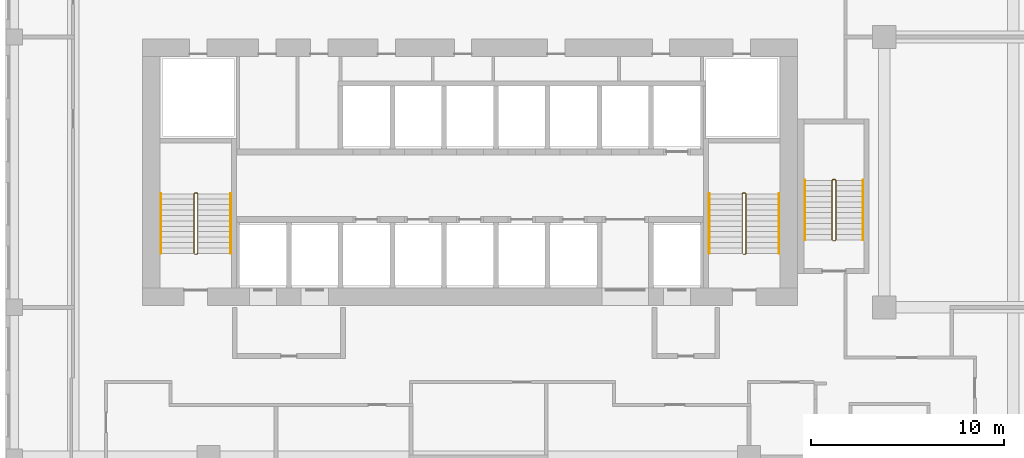
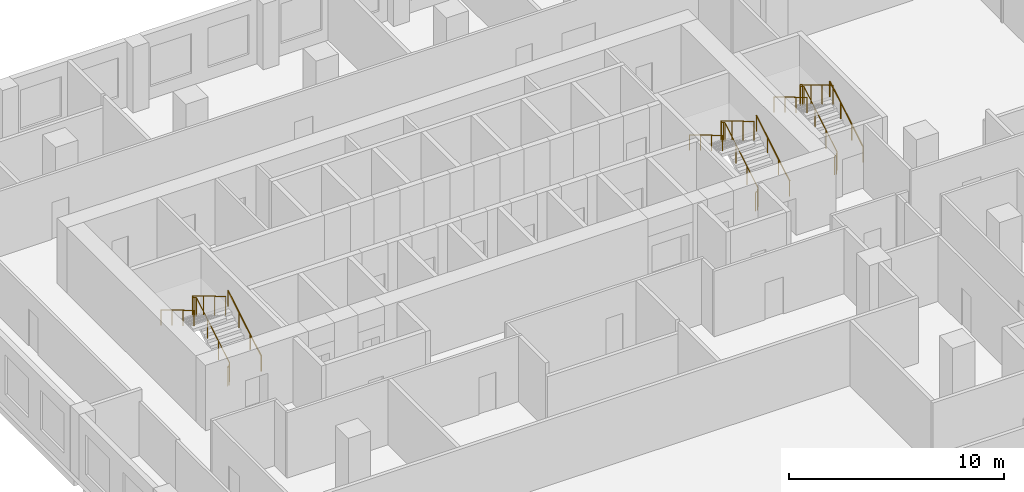
# One storey, part 26 of 27: 9 railings.
"""IFC4 building model written with IfcOpenShell, lengths in metres."""

import ifcopenshell
import ifcopenshell.guid

model = None  # the IFC model being written
_history = None  # IfcOwnerHistory: only IFC2X3 demands one
_inside = {}  # id of a spatial element -> (the spatial element, [elements in it])
_under = {}  # id of a project, library or spatial element -> (it, [spatial elements below it])
_declared = {}  # id of a project -> (the project, [libraries it declares])
_typed = {}  # id of a type object -> (the type object, [elements of that type])
_made_of = {}  # id of a material, layer set ... -> (it, [elements and type objects made of it])


def new_model(schema):
    """Start an empty IFC model of exactly this schema.

    Asked for "IFC4X3", IfcOpenShell would pick the latest addendum, in which some entities
    have other attributes; the version numbers below select the first issue.
    IFC2X3 requires an IfcOwnerHistory on every rooted entity: one is made here for all.
    """
    global model, _history
    if schema == "IFC4X3":
        model = ifcopenshell.file(schema_version=(4, 3, 0, 0))
    else:
        model = ifcopenshell.file(schema=schema)
    _inside.clear()
    _under.clear()
    _declared.clear()
    _typed.clear()
    _made_of.clear()
    _history = None
    if model.schema == "IFC2X3":
        org = make("IfcOrganization", Name="unknown")
        user = make(
            "IfcPersonAndOrganization",
            ThePerson=make("IfcPerson", FamilyName="unknown"),
            TheOrganization=org,
        )
        app = make(
            "IfcApplication",
            ApplicationDeveloper=org,
            Version="unknown",
            ApplicationFullName="unknown",
            ApplicationIdentifier="unknown",
        )
        _history = make(
            "IfcOwnerHistory",
            OwningUser=user,
            OwningApplication=app,
            ChangeAction="ADDED",
            CreationDate=0,
        )
    return model


def make(cls, **values):
    """One entity of the class cls with the attributes given. An attribute that is None is left unset."""
    return model.create_entity(
        cls, **{name: value for name, value in values.items() if value is not None}
    )


def rooted(cls, **values):
    """An entity with a GlobalId (a new one), such as an element, a storey or a relation."""
    return make(cls, GlobalId=ifcopenshell.guid.new(), OwnerHistory=_history, **values)


def si_unit(unit_type, name, prefix=None):
    """IfcSIUnit, for example si_unit("LENGTHUNIT", "METRE", prefix="MILLI")."""
    return make("IfcSIUnit", UnitType=unit_type, Prefix=prefix, Name=name)


def assignment(units):
    """IfcUnitAssignment: the units of a project."""
    return None if units is None else make("IfcUnitAssignment", Units=units)


def point(xyz):
    """IfcCartesianPoint."""
    return None if xyz is None else make("IfcCartesianPoint", Coordinates=xyz)


def direction(xyz):
    """IfcDirection."""
    return None if xyz is None else make("IfcDirection", DirectionRatios=xyz)


def frame(location, z_axis=None, x_axis=None):
    """IfcAxis2Placement3D, a coordinate frame: its origin and axes. An axis left out is left unset."""
    return make(
        "IfcAxis2Placement3D",
        Location=point(location),
        Axis=direction(z_axis),
        RefDirection=direction(x_axis),
    )


def frame_2d(location, x_axis=None):
    """IfcAxis2Placement2D, a coordinate frame in the plane: its origin and x axis."""
    return make(
        "IfcAxis2Placement2D", Location=point(location), RefDirection=direction(x_axis)
    )


def origin():
    """The frame at (0, 0, 0) with its axes left unset."""
    return frame((0.0, 0.0, 0.0))


def origin_2d():
    """The frame at (0, 0) in the plane with its x axis left unset."""
    return frame_2d((0.0, 0.0))


def place(relative_to, where):
    """IfcLocalPlacement: puts the frame where relative to a parent placement (None: the world)."""
    return make(
        "IfcLocalPlacement", PlacementRelTo=relative_to, RelativePlacement=where
    )


def context(
    kind, dimensions, precision=None, world=None, true_north=None, identifier=None
):
    """IfcGeometricRepresentationContext, for example the 3D "Model" context."""
    return make(
        "IfcGeometricRepresentationContext",
        ContextIdentifier=identifier,
        ContextType=kind,
        CoordinateSpaceDimension=dimensions,
        Precision=precision,
        WorldCoordinateSystem=world,
        TrueNorth=true_north,
    )


def subcontext(parent, identifier, kind, view, scale=None):
    """IfcGeometricRepresentationSubContext, for example "Body" below "Model"."""
    return make(
        "IfcGeometricRepresentationSubContext",
        ContextIdentifier=identifier,
        ContextType=kind,
        ParentContext=parent,
        TargetScale=scale,
        TargetView=view,
    )


def project(units=None, contexts=None):
    """IfcProject with its units and contexts."""
    return rooted(
        "IfcProject",
        Name="project",
        RepresentationContexts=contexts,
        UnitsInContext=assignment(units),
    )


def spatial(cls, under=None, at=None, **own):
    """A site, building, storey or space (cls), placed at a placement, below another one or the project."""
    s = rooted(cls, ObjectPlacement=at, **own)
    if under is not None:
        _under.setdefault(under.id(), (under, []))[1].append(s)
    return s


def profile(cls, at=None, kind="AREA", **sizes):
    """A parametric profile (cls). Its sizes go by their IFC names, for example OverallWidth=200.0."""
    return make(cls, ProfileType=kind, Position=at, **sizes)


def circle(**sizes):
    """IfcCircleProfileDef."""
    return profile("IfcCircleProfileDef", **sizes)


def extrude(swept, where, along, depth):
    """IfcExtrudedAreaSolid: the profile swept, set in the frame where, extruded along a direction by depth."""
    return make(
        "IfcExtrudedAreaSolid",
        SweptArea=swept,
        Position=where,
        ExtrudedDirection=direction(along),
        Depth=depth,
    )


def shape(context_of_items, identifier, shape_type, items):
    """IfcShapeRepresentation: the items that make up one representation, for example the "Body"."""
    return make(
        "IfcShapeRepresentation",
        ContextOfItems=context_of_items,
        RepresentationIdentifier=identifier,
        RepresentationType=shape_type,
        Items=items,
    )


def material(Name=None, Category=None):
    """IfcMaterial."""
    return make("IfcMaterial", Name=Name, Category=Category)


def made_of(thing, what):
    """Note that an element or type object is made of a material, layer set ...; save() writes the relation."""
    if what is not None:
        _made_of.setdefault(what.id(), (what, []))[1].append(thing)
    return thing


def type_object(cls, material=None, **own):
    """A type object (cls), such as IfcWallType, which elements share."""
    return made_of(rooted(cls, **own), material)


def element(
    cls,
    number,
    at=None,
    inside=None,
    cuts=None,
    type_object=None,
    material=None,
    context=None,
    identifier="Body",
    shape_type=None,
    held_by="IfcProductDefinitionShape",
    body=None,
    shapes=None,
    **own,
):
    """One element of the class cls, such as IfcWall. Its Tag is "e" and its number.

    at: its placement. inside: the storey or other place that contains it. cuts: it is an
    opening in that element (IfcRelVoidsElement). A single representation is given by context,
    identifier, shape_type and body (its items); several are given by shapes. held_by: the class
    of the entity that holds the representations. save() writes the other relations.
    """
    e = rooted(cls, Tag="e%d" % number, ObjectPlacement=at, **own)
    if body is not None:
        shapes = [shape(context, identifier, shape_type, body)]
    if shapes is not None:
        e.Representation = make(held_by, Representations=shapes)
    if inside is not None:
        _inside.setdefault(inside.id(), (inside, []))[1].append(e)
    if cuts is not None:
        rooted(
            "IfcRelVoidsElement", RelatingBuildingElement=cuts, RelatedOpeningElement=e
        )
    if type_object is not None:
        _typed.setdefault(type_object.id(), (type_object, []))[1].append(e)
    return made_of(e, material)


def aggregate(whole, parts):
    """IfcRelAggregates: a whole, such as a stair, and the parts it consists of."""
    return rooted("IfcRelAggregates", RelatingObject=whole, RelatedObjects=parts)


def save(model, path):
    """Write the relations noted so far, then the file.

    IfcRelAggregates (storeys below a building ...), IfcRelContainedInSpatialStructure (elements
    in a storey), IfcRelDefinesByType, IfcRelAssociatesMaterial and IfcRelDeclares: one each for
    every whole, place, type object, material and project.
    """
    for whole, parts in _under.values():
        aggregate(whole, parts)
    for where, things in _inside.values():
        rooted(
            "IfcRelContainedInSpatialStructure",
            RelatedElements=things,
            RelatingStructure=where,
        )
    for kind, things in _typed.values():
        rooted("IfcRelDefinesByType", RelatedObjects=things, RelatingType=kind)
    for what, things in _made_of.values():
        rooted("IfcRelAssociatesMaterial", RelatedObjects=things, RelatingMaterial=what)
    for by, libraries in _declared.values():
        rooted("IfcRelDeclares", RelatingContext=by, RelatedDefinitions=libraries)
    model.write(path)


model = new_model("IFC4")

# Units and contexts
model_context = context("Model", 3, precision=1e-05, world=origin(), true_north=direction((0.0, 1.0)))
body_context = subcontext(model_context, "Body", "Model", "MODEL_VIEW")
ifc_project = project(units=[si_unit("LENGTHUNIT", "METRE"), si_unit("AREAUNIT", "SQUARE_METRE"), si_unit("VOLUMEUNIT", "CUBIC_METRE"), si_unit("PLANEANGLEUNIT", "RADIAN"), si_unit("MASSUNIT", "GRAM", prefix="KILO")], contexts=[model_context])

# Site, building, storey
site_placement = place(None, origin())
site = spatial("IfcSite", under=ifc_project, at=site_placement, CompositionType="ELEMENT")
building_placement = place(site_placement, origin())
building = spatial("IfcBuilding", under=site, at=building_placement, Name="Kilnfold Tower and Market Hall", CompositionType="ELEMENT")
storey_placement = place(building_placement, frame((0.0, 0.0, 112.60009765625)))
storey = spatial("IfcBuildingStorey", under=building, at=storey_placement, Name="L26", CompositionType="ELEMENT", Elevation=112.60009765625)

# Railings
ifc_material_1 = material(Name="Stainless steel 316", Category="steel")
railing_type_1 = type_object("IfcRailingType", Name="CORE STAIR GUARD 1100", PredefinedType="GUARDRAIL", material=ifc_material_1)
railing_1_placement = place(storey_placement, frame((-13.199951171875, 10.75, 0.0)))
element("IfcRailing", 1, at=railing_1_placement, inside=storey, type_object=railing_type_1, Name="L26 ST1 stair guard 1", PredefinedType="GUARDRAIL", context=body_context, shape_type="SweptSolid", body=[
    extrude(circle(Radius=0.02392578125, at=origin_2d()), frame((0.0, 0.0, 1.076171875), z_axis=(1.0, 0.0, 0.0), x_axis=(0.0, 1.0, 0.0)), (0.0, 0.0, 1.0), 0.099853515625),
    extrude(circle(Radius=0.02392578125, at=origin_2d()), frame((0.099853515625, 0.0, 1.076171875), z_axis=(0.27662974545, 0.27662974545, 0.920299933644), x_axis=(-0.707106781187, 0.707106781187, 0.0)), (0.0, 0.0, 1.0), 0.180908203125),
    extrude(circle(Radius=0.02392578125, at=origin_2d()), frame((0.14990234375, 0.050048828125, 1.24267578125), z_axis=(0.0, 0.859260807169, 0.511537745687), x_axis=(-1.0, 0.0, 0.0)), (0.0, 0.0, 1.0), 3.584228515625),
    extrude(circle(Radius=0.02392578125, at=origin_2d()), frame((0.14990234375, 3.1298828125, 3.076171875), z_axis=(-0.707106781187, 0.707106781187, 0.0), x_axis=(-0.707106781187, -0.707106781187, 0.0)), (0.0, 0.0, 1.0), 0.07080078125),
    extrude(circle(Radius=0.02392578125, at=origin_2d()), frame((0.099853515625, 3.179931640625, 3.076171875), z_axis=(-1.0, 0.0, 0.0), x_axis=(0.0, -1.0, 0.0)), (0.0, 0.0, 1.0), 0.099853515625),
    extrude(circle(Radius=0.02392578125, at=origin_2d()), frame((0.0, 3.179931640625, 3.076171875), z_axis=(-0.27662974545, -0.27662974545, 0.920299933644), x_axis=(0.707106781187, -0.707106781187, 0.0)), (0.0, 0.0, 1.0), 0.180908203125),
    extrude(circle(Radius=0.02392578125, at=origin_2d()), frame((-0.050048828125, 3.1298828125, 3.24267578125), z_axis=(0.0, -0.859260807169, 0.511537745687), x_axis=(1.0, 0.0, 0.0)), (0.0, 0.0, 1.0), 3.584228515625),
    extrude(circle(Radius=0.02099609375, at=origin_2d()), origin(), (0.0, 0.0, 1.0), 1.052001953125),
    extrude(circle(Radius=0.02099609375, at=origin_2d()), frame((0.099853515625, 0.0, 0.0)), (0.0, 0.0, 1.0), 1.052001953125),
    extrude(circle(Radius=0.02099609375, at=origin_2d()), frame((0.14990234375, 0.050048828125, 0.16650390625)), (0.0, 0.0, 1.0), 1.052001953125),
    extrude(circle(Radius=0.02099609375, at=origin_2d()), frame((0.14990234375, 1.07666015625, 0.777587890625)), (0.0, 0.0, 1.0), 1.052001953125),
    extrude(circle(Radius=0.02099609375, at=origin_2d()), frame((0.14990234375, 2.103271484375, 1.388916015625)), (0.0, 0.0, 1.0), 1.052001953125),
    extrude(circle(Radius=0.02099609375, at=origin_2d()), frame((0.14990234375, 3.1298828125, 2.0)), (0.0, 0.0, 1.0), 1.052001953125),
    extrude(circle(Radius=0.02099609375, at=origin_2d()), frame((0.099853515625, 3.179931640625, 2.0)), (0.0, 0.0, 1.0), 1.052001953125),
    extrude(circle(Radius=0.02099609375, at=origin_2d()), frame((0.0, 3.179931640625, 2.0)), (0.0, 0.0, 1.0), 1.052001953125),
    extrude(circle(Radius=0.02099609375, at=origin_2d()), frame((-0.050048828125, 3.1298828125, 2.16650390625)), (0.0, 0.0, 1.0), 1.052001953125),
    extrude(circle(Radius=0.02099609375, at=origin_2d()), frame((-0.050048828125, 2.103271484375, 2.777587890625)), (0.0, 0.0, 1.0), 1.052001953125),
    extrude(circle(Radius=0.02099609375, at=origin_2d()), frame((-0.050048828125, 1.07666015625, 3.388916015625)), (0.0, 0.0, 1.0), 1.052001953125),
    extrude(circle(Radius=0.02099609375, at=origin_2d()), frame((-0.050048828125, 0.050048828125, 4.0)), (0.0, 0.0, 1.0), 1.052001953125),
])
railing_2_placement = place(storey_placement, frame((15.199951171875, 10.75, 0.0)))
element("IfcRailing", 2, at=railing_2_placement, inside=storey, type_object=railing_type_1, Name="L26 ST2 stair guard 1", PredefinedType="GUARDRAIL", context=body_context, shape_type="SweptSolid", body=[
    extrude(circle(Radius=0.02392578125, at=origin_2d()), frame((0.0, 0.0, 1.076171875), z_axis=(1.0, 0.0, 0.0), x_axis=(0.0, 1.0, 0.0)), (0.0, 0.0, 1.0), 0.10009765625),
    extrude(circle(Radius=0.02392578125, at=origin_2d()), frame((0.10009765625, 0.0, 1.076171875), z_axis=(0.27662974545, 0.27662974545, 0.920299933644), x_axis=(-0.707106781187, 0.707106781187, 0.0)), (0.0, 0.0, 1.0), 0.180908203125),
    extrude(circle(Radius=0.02392578125, at=origin_2d()), frame((0.150146484375, 0.050048828125, 1.24267578125), z_axis=(0.0, 0.859260807169, 0.511537745687), x_axis=(-1.0, 0.0, 0.0)), (0.0, 0.0, 1.0), 3.584228515625),
    extrude(circle(Radius=0.02392578125, at=origin_2d()), frame((0.150146484375, 3.1298828125, 3.076171875), z_axis=(-0.707106781187, 0.707106781187, 0.0), x_axis=(-0.707106781187, -0.707106781187, 0.0)), (0.0, 0.0, 1.0), 0.07080078125),
    extrude(circle(Radius=0.02392578125, at=origin_2d()), frame((0.10009765625, 3.179931640625, 3.076171875), z_axis=(-1.0, 0.0, 0.0), x_axis=(0.0, -1.0, 0.0)), (0.0, 0.0, 1.0), 0.10009765625),
    extrude(circle(Radius=0.02392578125, at=origin_2d()), frame((0.0, 3.179931640625, 3.076171875), z_axis=(-0.27662974545, -0.27662974545, 0.920299933644), x_axis=(0.707106781187, -0.707106781187, 0.0)), (0.0, 0.0, 1.0), 0.180908203125),
    extrude(circle(Radius=0.02392578125, at=origin_2d()), frame((-0.050048828125, 3.1298828125, 3.24267578125), z_axis=(0.0, -0.859260807169, 0.511537745687), x_axis=(1.0, 0.0, 0.0)), (0.0, 0.0, 1.0), 3.584228515625),
    extrude(circle(Radius=0.02099609375, at=origin_2d()), origin(), (0.0, 0.0, 1.0), 1.052001953125),
    extrude(circle(Radius=0.02099609375, at=origin_2d()), frame((0.10009765625, 0.0, 0.0)), (0.0, 0.0, 1.0), 1.052001953125),
    extrude(circle(Radius=0.02099609375, at=origin_2d()), frame((0.150146484375, 0.050048828125, 0.16650390625)), (0.0, 0.0, 1.0), 1.052001953125),
    extrude(circle(Radius=0.02099609375, at=origin_2d()), frame((0.150146484375, 1.07666015625, 0.777587890625)), (0.0, 0.0, 1.0), 1.052001953125),
    extrude(circle(Radius=0.02099609375, at=origin_2d()), frame((0.150146484375, 2.103271484375, 1.388916015625)), (0.0, 0.0, 1.0), 1.052001953125),
    extrude(circle(Radius=0.02099609375, at=origin_2d()), frame((0.150146484375, 3.1298828125, 2.0)), (0.0, 0.0, 1.0), 1.052001953125),
    extrude(circle(Radius=0.02099609375, at=origin_2d()), frame((0.10009765625, 3.179931640625, 2.0)), (0.0, 0.0, 1.0), 1.052001953125),
    extrude(circle(Radius=0.02099609375, at=origin_2d()), frame((0.0, 3.179931640625, 2.0)), (0.0, 0.0, 1.0), 1.052001953125),
    extrude(circle(Radius=0.02099609375, at=origin_2d()), frame((-0.050048828125, 3.1298828125, 2.16650390625)), (0.0, 0.0, 1.0), 1.052001953125),
    extrude(circle(Radius=0.02099609375, at=origin_2d()), frame((-0.050048828125, 2.103271484375, 2.777587890625)), (0.0, 0.0, 1.0), 1.052001953125),
    extrude(circle(Radius=0.02099609375, at=origin_2d()), frame((-0.050048828125, 1.07666015625, 3.388916015625)), (0.0, 0.0, 1.0), 1.052001953125),
    extrude(circle(Radius=0.02099609375, at=origin_2d()), frame((-0.050048828125, 0.050048828125, 4.0)), (0.0, 0.0, 1.0), 1.052001953125),
])
railing_3_placement = place(storey_placement, frame((19.85009765625, 11.449951171875, 0.0)))
element("IfcRailing", 3, at=railing_3_placement, inside=storey, type_object=railing_type_1, Name="L26 ST5 stair guard 1", PredefinedType="GUARDRAIL", context=body_context, shape_type="SweptSolid", body=[
    extrude(circle(Radius=0.02392578125, at=origin_2d()), frame((0.0, 0.0, 1.076171875), z_axis=(1.0, 0.0, 0.0), x_axis=(0.0, 1.0, 0.0)), (0.0, 0.0, 1.0), 0.099853515625),
    extrude(circle(Radius=0.02392578125, at=origin_2d()), frame((0.099853515625, 0.0, 1.076171875), z_axis=(0.27662974545, 0.27662974545, 0.920299933644), x_axis=(-0.707106781187, 0.707106781187, 0.0)), (0.0, 0.0, 1.0), 0.180908203125),
    extrude(circle(Radius=0.02392578125, at=origin_2d()), frame((0.14990234375, 0.050048828125, 1.24267578125), z_axis=(0.0, 0.85927862911, 0.511507807912), x_axis=(-1.0, 0.0, 0.0)), (0.0, 0.0, 1.0), 3.58447265625),
    extrude(circle(Radius=0.02392578125, at=origin_2d()), frame((0.14990234375, 3.130126953125, 3.076171875), z_axis=(-0.708833529934, 0.705375805398, 0.0), x_axis=(-0.705375805398, -0.708833529934, 0.0)), (0.0, 0.0, 1.0), 0.070556640625),
    extrude(circle(Radius=0.02392578125, at=origin_2d()), frame((0.099853515625, 3.179931640625, 3.076171875), z_axis=(-1.0, 0.0, 0.0), x_axis=(0.0, -1.0, 0.0)), (0.0, 0.0, 1.0), 0.099853515625),
    extrude(circle(Radius=0.02392578125, at=origin_2d()), frame((0.0, 3.179931640625, 3.076171875), z_axis=(-0.276732813696, -0.275382897532, 0.920642824102), x_axis=(0.705375805398, -0.708833529934, 0.0)), (0.0, 0.0, 1.0), 0.180908203125),
    extrude(circle(Radius=0.02392578125, at=origin_2d()), frame((-0.050048828125, 3.130126953125, 3.24267578125), z_axis=(0.0, -0.85927862911, 0.511507807912), x_axis=(1.0, 0.0, 0.0)), (0.0, 0.0, 1.0), 3.58447265625),
    extrude(circle(Radius=0.02099609375, at=origin_2d()), origin(), (0.0, 0.0, 1.0), 1.052001953125),
    extrude(circle(Radius=0.02099609375, at=origin_2d()), frame((0.099853515625, 0.0, 0.0)), (0.0, 0.0, 1.0), 1.052001953125),
    extrude(circle(Radius=0.02099609375, at=origin_2d()), frame((0.14990234375, 0.050048828125, 0.16650390625)), (0.0, 0.0, 1.0), 1.052001953125),
    extrude(circle(Radius=0.02099609375, at=origin_2d()), frame((0.14990234375, 1.07666015625, 0.777587890625)), (0.0, 0.0, 1.0), 1.052001953125),
    extrude(circle(Radius=0.02099609375, at=origin_2d()), frame((0.14990234375, 2.103515625, 1.388916015625)), (0.0, 0.0, 1.0), 1.052001953125),
    extrude(circle(Radius=0.02099609375, at=origin_2d()), frame((0.14990234375, 3.130126953125, 2.0)), (0.0, 0.0, 1.0), 1.052001953125),
    extrude(circle(Radius=0.02099609375, at=origin_2d()), frame((0.099853515625, 3.179931640625, 2.0)), (0.0, 0.0, 1.0), 1.052001953125),
    extrude(circle(Radius=0.02099609375, at=origin_2d()), frame((0.0, 3.179931640625, 2.0)), (0.0, 0.0, 1.0), 1.052001953125),
    extrude(circle(Radius=0.02099609375, at=origin_2d()), frame((-0.050048828125, 3.130126953125, 2.16650390625)), (0.0, 0.0, 1.0), 1.052001953125),
    extrude(circle(Radius=0.02099609375, at=origin_2d()), frame((-0.050048828125, 2.103515625, 2.777587890625)), (0.0, 0.0, 1.0), 1.052001953125),
    extrude(circle(Radius=0.02099609375, at=origin_2d()), frame((-0.050048828125, 1.07666015625, 3.388916015625)), (0.0, 0.0, 1.0), 1.052001953125),
    extrude(circle(Radius=0.02099609375, at=origin_2d()), frame((-0.050048828125, 0.050048828125, 4.0)), (0.0, 0.0, 1.0), 1.052001953125),
])
ifc_material_2 = material(Name="Stainless steel 316", Category="steel")
railing_type_2 = type_object("IfcRailingType", Name="CORE STAIR HANDRAIL 900", PredefinedType="HANDRAIL", material=ifc_material_2)
railing_4_placement = place(storey_placement, frame((-11.35009765625, 10.800048828125, 0.16650390625)))
element("IfcRailing", 4, at=railing_4_placement, inside=storey, type_object=railing_type_2, Name="L26 ST1 stair handrail 1", PredefinedType="HANDRAIL", context=body_context, shape_type="SweptSolid", body=[
    extrude(circle(Radius=0.02392578125, at=origin_2d()), frame((0.0, 0.0, 0.8759765625), z_axis=(0.0, 0.859260807169, 0.511537745687), x_axis=(-1.0, 0.0, 0.0)), (0.0, 0.0, 1.0), 3.584228515625),
    extrude(circle(Radius=0.02099609375, at=origin_2d()), origin(), (0.0, 0.0, 1.0), 0.851806640625),
    extrude(circle(Radius=0.02099609375, at=origin_2d()), frame((0.0, 1.026611328125, 0.611083984375)), (0.0, 0.0, 1.0), 0.851806640625),
    extrude(circle(Radius=0.02099609375, at=origin_2d()), frame((0.0, 2.05322265625, 1.222412109375)), (0.0, 0.0, 1.0), 0.851806640625),
    extrude(circle(Radius=0.02099609375, at=origin_2d()), frame((0.0, 3.079833984375, 1.83349609375)), (0.0, 0.0, 1.0), 0.851806640625),
])
railing_5_placement = place(storey_placement, frame((-14.949951171875, 13.8798828125, 2.16650390625)))
element("IfcRailing", 5, at=railing_5_placement, inside=storey, type_object=railing_type_2, Name="L26 ST1 stair handrail 2", PredefinedType="HANDRAIL", context=body_context, shape_type="SweptSolid", body=[
    extrude(circle(Radius=0.02392578125, at=origin_2d()), frame((0.0, 0.0, 0.8759765625), z_axis=(0.0, -0.859260807169, 0.511537745687), x_axis=(1.0, 0.0, 0.0)), (0.0, 0.0, 1.0), 3.584228515625),
    extrude(circle(Radius=0.02099609375, at=origin_2d()), origin(), (0.0, 0.0, 1.0), 0.851806640625),
    extrude(circle(Radius=0.02099609375, at=origin_2d()), frame((0.0, -1.026611328125, 0.611083984375)), (0.0, 0.0, 1.0), 0.851806640625),
    extrude(circle(Radius=0.02099609375, at=origin_2d()), frame((0.0, -2.05322265625, 1.222412109375)), (0.0, 0.0, 1.0), 0.851806640625),
    extrude(circle(Radius=0.02099609375, at=origin_2d()), frame((0.0, -3.079833984375, 1.83349609375)), (0.0, 0.0, 1.0), 0.851806640625),
])
railing_6_placement = place(storey_placement, frame((17.050048828125, 10.800048828125, 0.16650390625)))
element("IfcRailing", 6, at=railing_6_placement, inside=storey, type_object=railing_type_2, Name="L26 ST2 stair handrail 1", PredefinedType="HANDRAIL", context=body_context, shape_type="SweptSolid", body=[
    extrude(circle(Radius=0.02392578125, at=origin_2d()), frame((0.0, 0.0, 0.8759765625), z_axis=(0.0, 0.859260807169, 0.511537745687), x_axis=(-1.0, 0.0, 0.0)), (0.0, 0.0, 1.0), 3.584228515625),
    extrude(circle(Radius=0.02099609375, at=origin_2d()), origin(), (0.0, 0.0, 1.0), 0.851806640625),
    extrude(circle(Radius=0.02099609375, at=origin_2d()), frame((0.0, 1.026611328125, 0.611083984375)), (0.0, 0.0, 1.0), 0.851806640625),
    extrude(circle(Radius=0.02099609375, at=origin_2d()), frame((0.0, 2.05322265625, 1.222412109375)), (0.0, 0.0, 1.0), 0.851806640625),
    extrude(circle(Radius=0.02099609375, at=origin_2d()), frame((0.0, 3.079833984375, 1.83349609375)), (0.0, 0.0, 1.0), 0.851806640625),
])
railing_7_placement = place(storey_placement, frame((13.449951171875, 13.8798828125, 2.16650390625)))
element("IfcRailing", 7, at=railing_7_placement, inside=storey, type_object=railing_type_2, Name="L26 ST2 stair handrail 2", PredefinedType="HANDRAIL", context=body_context, shape_type="SweptSolid", body=[
    extrude(circle(Radius=0.02392578125, at=origin_2d()), frame((0.0, 0.0, 0.8759765625), z_axis=(0.0, -0.859260807169, 0.511537745687), x_axis=(1.0, 0.0, 0.0)), (0.0, 0.0, 1.0), 3.584228515625),
    extrude(circle(Radius=0.02099609375, at=origin_2d()), origin(), (0.0, 0.0, 1.0), 0.851806640625),
    extrude(circle(Radius=0.02099609375, at=origin_2d()), frame((0.0, -1.026611328125, 0.611083984375)), (0.0, 0.0, 1.0), 0.851806640625),
    extrude(circle(Radius=0.02099609375, at=origin_2d()), frame((0.0, -2.05322265625, 1.222412109375)), (0.0, 0.0, 1.0), 0.851806640625),
    extrude(circle(Radius=0.02099609375, at=origin_2d()), frame((0.0, -3.079833984375, 1.83349609375)), (0.0, 0.0, 1.0), 0.851806640625),
])
railing_8_placement = place(storey_placement, frame((21.39990234375, 11.5, 0.16650390625)))
element("IfcRailing", 8, at=railing_8_placement, inside=storey, type_object=railing_type_2, Name="L26 ST5 stair handrail 1", PredefinedType="HANDRAIL", context=body_context, shape_type="SweptSolid", body=[
    extrude(circle(Radius=0.02392578125, at=origin_2d()), frame((0.0, 0.0, 0.8759765625), z_axis=(0.0, 0.85927862911, 0.511507807912), x_axis=(-1.0, 0.0, 0.0)), (0.0, 0.0, 1.0), 3.58447265625),
    extrude(circle(Radius=0.02099609375, at=origin_2d()), origin(), (0.0, 0.0, 1.0), 0.851806640625),
    extrude(circle(Radius=0.02099609375, at=origin_2d()), frame((0.0, 1.026611328125, 0.611083984375)), (0.0, 0.0, 1.0), 0.851806640625),
    extrude(circle(Radius=0.02099609375, at=origin_2d()), frame((0.0, 2.053466796875, 1.222412109375)), (0.0, 0.0, 1.0), 0.851806640625),
    extrude(circle(Radius=0.02099609375, at=origin_2d()), frame((0.0, 3.080078125, 1.83349609375)), (0.0, 0.0, 1.0), 0.851806640625),
])
railing_9_placement = place(storey_placement, frame((18.39990234375, 14.580078125, 2.16650390625)))
element("IfcRailing", 9, at=railing_9_placement, inside=storey, type_object=railing_type_2, Name="L26 ST5 stair handrail 2", PredefinedType="HANDRAIL", context=body_context, shape_type="SweptSolid", body=[
    extrude(circle(Radius=0.02392578125, at=origin_2d()), frame((0.0, 0.0, 0.8759765625), z_axis=(0.0, -0.85927862911, 0.511507807912), x_axis=(1.0, 0.0, 0.0)), (0.0, 0.0, 1.0), 3.58447265625),
    extrude(circle(Radius=0.02099609375, at=origin_2d()), origin(), (0.0, 0.0, 1.0), 0.851806640625),
    extrude(circle(Radius=0.02099609375, at=origin_2d()), frame((0.0, -1.026611328125, 0.611083984375)), (0.0, 0.0, 1.0), 0.851806640625),
    extrude(circle(Radius=0.02099609375, at=origin_2d()), frame((0.0, -2.053466796875, 1.222412109375)), (0.0, 0.0, 1.0), 0.851806640625),
    extrude(circle(Radius=0.02099609375, at=origin_2d()), frame((0.0, -3.080078125, 1.83349609375)), (0.0, 0.0, 1.0), 0.851806640625),
])

save(model, "model.ifc")
